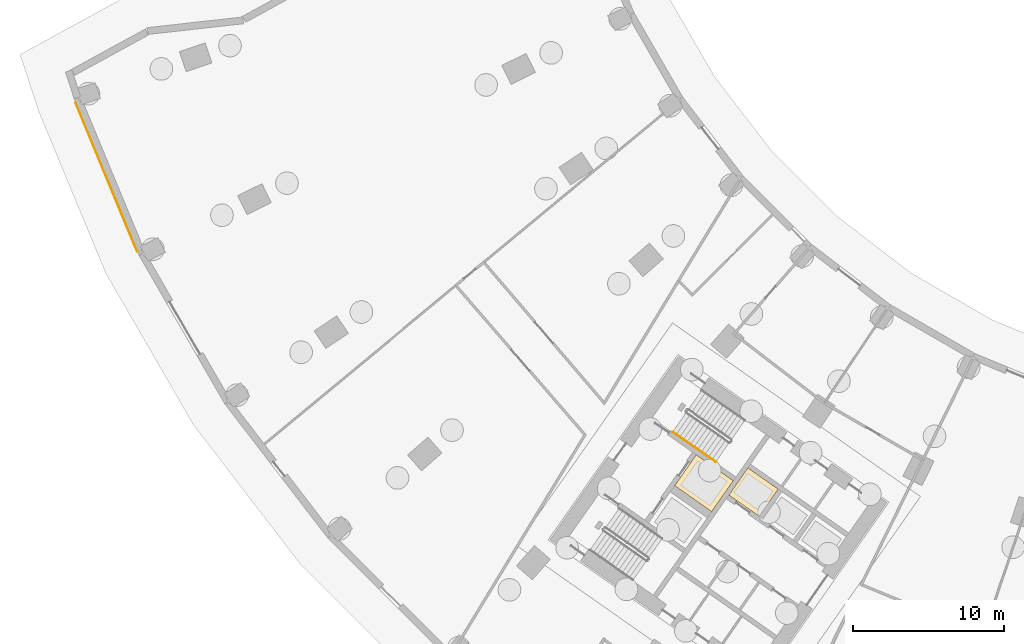
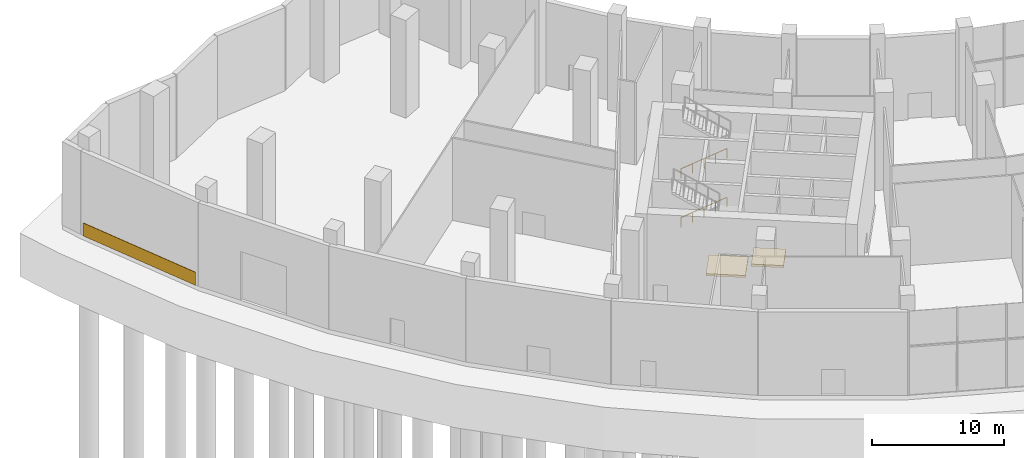
# One storey, part 18 of 23: 3 coverings, 2 railings.
"""IFC4 building model written with IfcOpenShell, lengths in metres."""

from ifc_helpers import new_model, si_unit, direction, frame, origin, origin_2d, place, context, subcontext, project, spatial, polyline, rectangle, circle, outline, extrude, material, layer, layer_set, type_object, element, save


model = new_model("IFC4")

# Units and contexts
model_context = context("Model", 3, precision=1e-05, world=origin(), true_north=direction((0.0, 1.0)))
body_context = subcontext(model_context, "Body", "Model", "MODEL_VIEW")
ifc_project = project(units=[si_unit("LENGTHUNIT", "METRE"), si_unit("AREAUNIT", "SQUARE_METRE"), si_unit("VOLUMEUNIT", "CUBIC_METRE"), si_unit("PLANEANGLEUNIT", "RADIAN"), si_unit("MASSUNIT", "GRAM", prefix="KILO")], contexts=[model_context])

# Site, building, storey
site_placement = place(None, origin())
site = spatial("IfcSite", under=ifc_project, at=site_placement, CompositionType="ELEMENT")
building_placement = place(site_placement, origin())
building = spatial("IfcBuilding", under=site, at=building_placement, Name="Qamariyya Broadcast Tower", CompositionType="ELEMENT")
storey_placement = place(building_placement, origin())
storey = spatial("IfcBuildingStorey", under=building, at=storey_placement, Name="L00", CompositionType="ELEMENT", Elevation=0.0)

# Coverings
ifc_material_1 = material(Name="Concrete C40/50", Category="concrete")
ifc_layer_1 = layer(ifc_material_1, 0.199951171875)
ifc_layer_set_1 = layer_set([ifc_layer_1], Name="Lift pit floor topping 200 mm Concrete C40/50")
covering_type_1 = type_object("IfcCoveringType", Name="Lift pit floor topping 200 mm Concrete C40/50", PredefinedType="FLOORING", material=ifc_layer_set_1)
covering_1_placement = place(storey_placement, frame((0.0, 0.0, -2.199951171875)))
element("IfcCovering", 1, at=covering_1_placement, inside=storey, type_object=covering_type_1, Name="k-W-L00-pit2", PredefinedType="FLOORING", context=body_context, shape_type="SweptSolid", body=[
    extrude(outline(polyline([(-36.31396484375, -55.387939453125), (-38.32080078125, -53.982666015625), (-37.058837890625, -52.1806640625), (-35.052001953125, -53.5859375), (-36.31396484375, -55.387939453125)])), origin(), (0.0, 0.0, 1.0), 0.199951171875),
])
covering_2_placement = place(storey_placement, frame((0.0, 0.0, -2.199951171875)))
element("IfcCovering", 2, at=covering_2_placement, inside=storey, type_object=covering_type_1, Name="k-W-L00-pit4", PredefinedType="FLOORING", context=body_context, shape_type="SweptSolid", body=[
    extrude(outline(polyline([(-39.45556640625, -55.080322265625), (-41.9130859375, -53.359619140625), (-40.47900390625, -51.311767578125), (-38.021728515625, -53.032470703125), (-39.45556640625, -55.080322265625)])), origin(), (0.0, 0.0, 1.0), 0.199951171875),
])

# Railings
ifc_material_2 = material(Name="Stainless steel", Category="steel")
railing_type = type_object("IfcRailingType", Name="Stair handrail", PredefinedType="HANDRAIL", material=ifc_material_2)
for number, where, name in (
    (3, (-42.03564453125, -49.79443359375, 0.173095703125), "L00 ST-W2 stair handrail 1"),
    (4, (-42.03564453125, -49.79443359375, 4.673095703125), "L00 ST-W2 stair handrail 3"),
):
    element("IfcRailing", number, at=place(storey_placement, frame(where)), inside=storey, type_object=railing_type, Name=name, PredefinedType="HANDRAIL", context=body_context, shape_type="SweptSolid", body=[
        extrude(circle(Radius=0.02392578125, at=origin_2d()), frame((0.0, 0.0, 0.8759765625), z_axis=(0.703392637411, -0.492543525477, 0.512483827206), x_axis=(0.573594173421, 0.819139624372, 0.0)), (0.0, 0.0, 1.0), 4.052734375),
        extrude(circle(Radius=0.02099609375, at=origin_2d()), origin(), (0.0, 0.0, 1.0), 0.851806640625),
        extrude(circle(Radius=0.02099609375, at=origin_2d()), frame((0.712646484375, -0.4990234375, 0.519287109375)), (0.0, 0.0, 1.0), 0.851806640625),
        extrude(circle(Radius=0.02099609375, at=origin_2d()), frame((1.42529296875, -0.998046875, 1.03857421875)), (0.0, 0.0, 1.0), 0.851806640625),
        extrude(circle(Radius=0.02099609375, at=origin_2d()), frame((2.137939453125, -1.4970703125, 1.5576171875)), (0.0, 0.0, 1.0), 0.851806640625),
        extrude(circle(Radius=0.02099609375, at=origin_2d()), frame((2.8505859375, -1.99609375, 2.076904296875)), (0.0, 0.0, 1.0), 0.851806640625),
    ])

# Covering
ifc_material_3 = material(Name="Glazed terracotta", Category="masonry")
ifc_layer_2 = layer(ifc_material_3, 0.0400390625)
ifc_layer_set_2 = layer_set([ifc_layer_2], Name="Terracotta cladding panel 40, plinth")
covering_type_2 = type_object("IfcCoveringType", Name="Terracotta cladding panel 40, plinth", PredefinedType="CLADDING", material=ifc_layer_set_2)
covering_3_placement = place(storey_placement, frame((-79.532470703125, -32.943359375, 0.0), z_axis=(0.0, 0.0, 1.0), x_axis=(0.382683432365, -0.923879532511, 0.0)))
element("IfcCovering", 5, at=covering_3_placement, inside=storey, type_object=covering_type_2, Name="e-cl-L00-01", PredefinedType="CLADDING", context=body_context, shape_type="SweptSolid", body=[
    extrude(rectangle(XDim=10.68212890625, YDim=0.0400390625, at=origin_2d()), origin(), (0.0, 0.0, 1.0), 1.199951171875),
])

save(model, "model.ifc")
